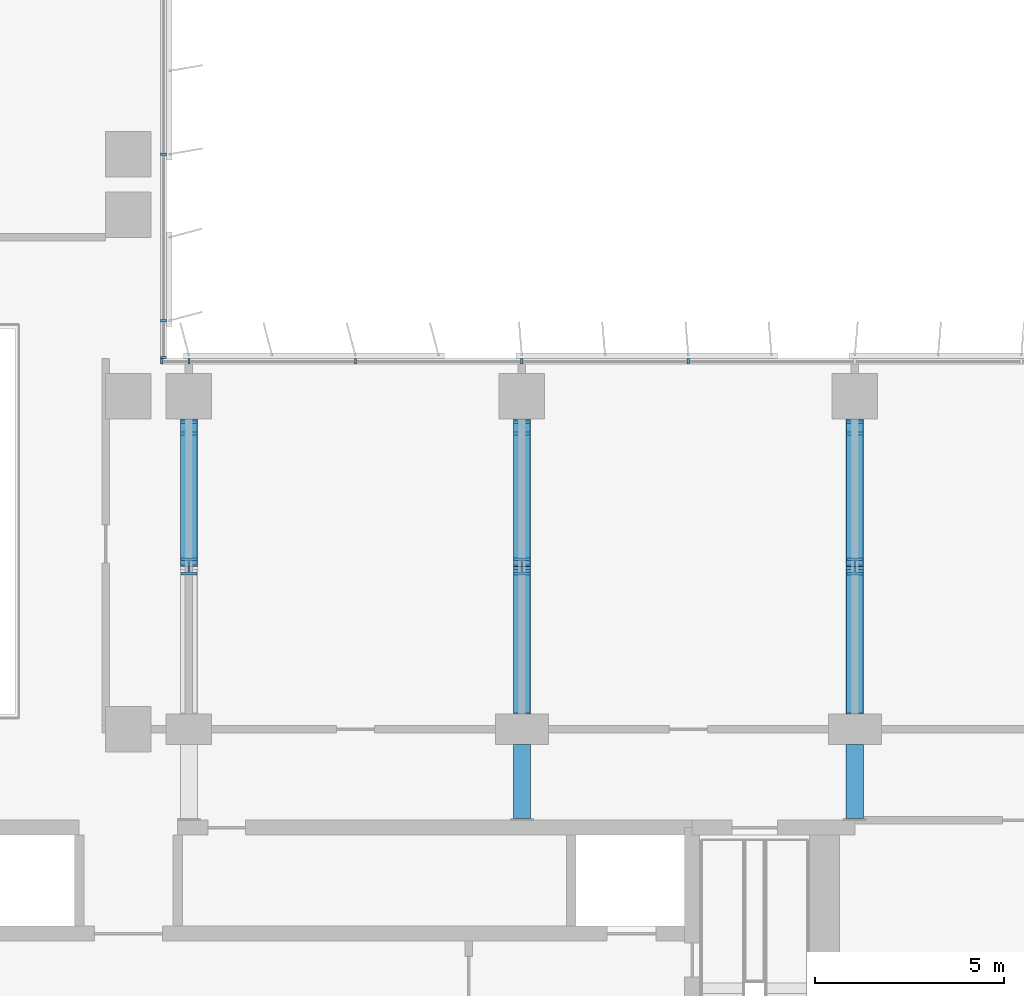
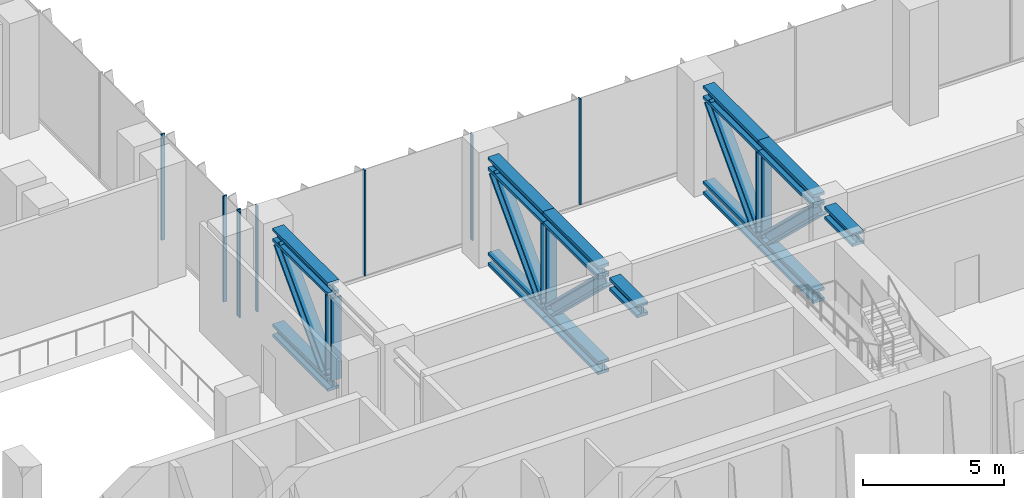
# One storey, part 2 of 21: 16 members, 12 beams, 2 elements without a shape of their own.
"""IFC4 building model written with IfcOpenShell, lengths in metres."""

from ifc_helpers import new_model, si_unit, direction, frame, origin, origin_2d, place, context, subcontext, project, spatial, rectangle, i_section, extrude, source, transform, mapped, material, material_profile, profile_set, type_object, element, aggregate, save


model = new_model("IFC4")

# Units and contexts
model_context = context("Model", 3, precision=1e-05, world=origin(), true_north=direction((0.0, 1.0)))
body_context = subcontext(model_context, "Body", "Model", "MODEL_VIEW")
ifc_project = project(units=[si_unit("LENGTHUNIT", "METRE"), si_unit("AREAUNIT", "SQUARE_METRE"), si_unit("VOLUMEUNIT", "CUBIC_METRE"), si_unit("PLANEANGLEUNIT", "RADIAN"), si_unit("MASSUNIT", "GRAM", prefix="KILO")], contexts=[model_context])

# Site, building, storey
site_placement = place(None, origin())
site = spatial("IfcSite", under=ifc_project, at=site_placement, CompositionType="ELEMENT")
building_placement = place(site_placement, origin())
building = spatial("IfcBuilding", under=site, at=building_placement, Name="Kemantara Hotel Tower", CompositionType="ELEMENT")
storey_placement = place(building_placement, frame((0.0, 0.0, 133.300048828125)))
storey = spatial("IfcBuildingStorey", under=building, at=storey_placement, Name="L32", CompositionType="ELEMENT", Elevation=133.300048828125)

# Beams
ifc_material_1 = material(Name="Steel ASTM A992 Grade 50", Category="steel")
ifc_material_profile_1 = material_profile(ifc_material_1, i_section(OverallWidth=0.455078125, OverallDepth=0.569091796875, WebThickness=0.077880859375, FlangeThickness=0.125, at=origin_2d()), Name="W360X1086")
ifc_profile_set_1 = profile_set([ifc_material_profile_1], Name="Steel ASTM A992 Grade 50")
beam_type = type_object("IfcBeamType", Name="OUTRIGGER TRUSS L32 CHORD W360X1086", PredefinedType="BEAM", material=ifc_profile_set_1)
for number, where, z_axis, x_axis, name in (
    (1, (27.39990234375, 16.5, 0.284423828125), (0.0, 1.0, 0.0), (-1.0, 0.0, 0.0), "OUTRIGGER L32 T1 bottom chord 3"),
    (2, (27.39990234375, 16.5, 4.41552734375), (0.0, 1.0, 0.0), (-1.0, 0.0, 0.0), "OUTRIGGER L32 T1 top chord 3"),
    (3, (36.199951171875, 12.60009765625, 0.284423828125), (0.0, 1.0, 0.0), (-1.0, 0.0, 0.0), "OUTRIGGER L32 T2 bottom chord 2"),
    (4, (36.199951171875, 16.5, 0.284423828125), (0.0, 1.0, 0.0), (-1.0, 0.0, 0.0), "OUTRIGGER L32 T2 bottom chord 3"),
):
    element("IfcBeam", number, at=place(storey_placement, frame(where, z_axis=z_axis, x_axis=x_axis)), inside=storey, type_object=beam_type, Name=name, PredefinedType="BEAM", context=body_context, shape_type="SweptSolid", body=[
        extrude(i_section(OverallWidth=0.455078125, OverallDepth=0.569091796875, WebThickness=0.077880859375, FlangeThickness=0.125, at=origin_2d()), origin(), (0.0, 0.0, 1.0), 3.89990234375),
    ])
beam_1_placement = place(storey_placement, frame((36.199951171875, 9.840087890625, 4.41552734375), z_axis=(0.0, 1.0, 0.0), x_axis=(-1.0, 0.0, 0.0)))
element("IfcBeam", 5, at=beam_1_placement, inside=storey, type_object=beam_type, Name="OUTRIGGER L32 T2 top chord 1", PredefinedType="BEAM", context=body_context, shape_type="SweptSolid", body=[
    extrude(i_section(OverallWidth=0.455078125, OverallDepth=0.569091796875, WebThickness=0.077880859375, FlangeThickness=0.125, at=origin_2d()), origin(), (0.0, 0.0, 1.0), 1.9599609375),
])
for number, where, z_axis, x_axis, name in (
    (6, (36.199951171875, 12.60009765625, 4.41552734375), (0.0, 1.0, 0.0), (-1.0, 0.0, 0.0), "OUTRIGGER L32 T2 top chord 2"),
    (7, (36.199951171875, 16.5, 4.41552734375), (0.0, 1.0, 0.0), (-1.0, 0.0, 0.0), "OUTRIGGER L32 T2 top chord 3"),
    (8, (45.0, 12.60009765625, 0.284423828125), (0.0, 1.0, 0.0), (-1.0, 0.0, 0.0), "OUTRIGGER L32 T3 bottom chord 2"),
    (9, (45.0, 16.5, 0.284423828125), (0.0, 1.0, 0.0), (-1.0, 0.0, 0.0), "OUTRIGGER L32 T3 bottom chord 3"),
):
    element("IfcBeam", number, at=place(storey_placement, frame(where, z_axis=z_axis, x_axis=x_axis)), inside=storey, type_object=beam_type, Name=name, PredefinedType="BEAM", context=body_context, shape_type="SweptSolid", body=[
        extrude(i_section(OverallWidth=0.455078125, OverallDepth=0.569091796875, WebThickness=0.077880859375, FlangeThickness=0.125, at=origin_2d()), origin(), (0.0, 0.0, 1.0), 3.89990234375),
    ])
beam_2_placement = place(storey_placement, frame((45.0, 9.840087890625, 4.41552734375), z_axis=(0.0, 1.0, 0.0), x_axis=(-1.0, 0.0, 0.0)))
element("IfcBeam", 10, at=beam_2_placement, inside=storey, type_object=beam_type, Name="OUTRIGGER L32 T3 top chord 1", PredefinedType="BEAM", context=body_context, shape_type="SweptSolid", body=[
    extrude(i_section(OverallWidth=0.455078125, OverallDepth=0.569091796875, WebThickness=0.077880859375, FlangeThickness=0.125, at=origin_2d()), origin(), (0.0, 0.0, 1.0), 1.9599609375),
])
for number, where, z_axis, x_axis, name in (
    (11, (45.0, 12.60009765625, 4.41552734375), (0.0, 1.0, 0.0), (-1.0, 0.0, 0.0), "OUTRIGGER L32 T3 top chord 2"),
    (12, (45.0, 16.5, 4.41552734375), (0.0, 1.0, 0.0), (-1.0, 0.0, 0.0), "OUTRIGGER L32 T3 top chord 3"),
):
    element("IfcBeam", number, at=place(storey_placement, frame(where, z_axis=z_axis, x_axis=x_axis)), inside=storey, type_object=beam_type, Name=name, PredefinedType="BEAM", context=body_context, shape_type="SweptSolid", body=[
        extrude(i_section(OverallWidth=0.455078125, OverallDepth=0.569091796875, WebThickness=0.077880859375, FlangeThickness=0.125, at=origin_2d()), origin(), (0.0, 0.0, 1.0), 3.89990234375),
    ])

# Members
ifc_material_profile_2 = material_profile(ifc_material_1, i_section(OverallWidth=0.43701171875, OverallDepth=0.512939453125, WebThickness=0.060546875, FlangeThickness=0.096923828125, at=origin_2d()), Name="W360X818")
ifc_profile_set_2 = profile_set([ifc_material_profile_2], Name="Steel ASTM A992 Grade 50")
member_type_1 = type_object("IfcMemberType", Name="OUTRIGGER TRUSS L32 DIAGONAL W360X818", PredefinedType="BRACE", material=ifc_profile_set_2)
member_1_placement = place(storey_placement, frame((27.39990234375, 16.732177734375, 0.530517578125), z_axis=(0.0, 0.686496030022, 0.727133550844), x_axis=(-1.0, 0.0, 0.0)))
element("IfcMember", 13, at=member_1_placement, inside=storey, type_object=member_type_1, Name="OUTRIGGER L32 T1 diagonal 3", PredefinedType="BRACE", context=body_context, shape_type="SweptSolid", body=[
    extrude(i_section(OverallWidth=0.43701171875, OverallDepth=0.512939453125, WebThickness=0.060546875, FlangeThickness=0.096923828125, at=origin_2d()), origin(), (0.0, 0.0, 1.0), 5.00439453125),
])
member_2_placement = place(storey_placement, frame((36.199951171875, 16.243896484375, 0.530517578125), z_axis=(0.0, -0.721141135239, 0.692788180518), x_axis=(1.0, 0.0, 0.0)))
element("IfcMember", 14, at=member_2_placement, inside=storey, type_object=member_type_1, Name="OUTRIGGER L32 T2 diagonal 2", PredefinedType="BRACE", context=body_context, shape_type="SweptSolid", body=[
    extrude(i_section(OverallWidth=0.43701171875, OverallDepth=0.512939453125, WebThickness=0.060546875, FlangeThickness=0.096923828125, at=origin_2d()), origin(), (0.0, 0.0, 1.0), 5.252685546875),
])
member_3_placement = place(storey_placement, frame((36.199951171875, 16.732177734375, 0.530517578125), z_axis=(0.0, 0.686496030022, 0.727133550844), x_axis=(-1.0, 0.0, 0.0)))
element("IfcMember", 15, at=member_3_placement, inside=storey, type_object=member_type_1, Name="OUTRIGGER L32 T2 diagonal 3", PredefinedType="BRACE", context=body_context, shape_type="SweptSolid", body=[
    extrude(i_section(OverallWidth=0.43701171875, OverallDepth=0.512939453125, WebThickness=0.060546875, FlangeThickness=0.096923828125, at=origin_2d()), origin(), (0.0, 0.0, 1.0), 5.00439453125),
])
member_4_placement = place(storey_placement, frame((45.0, 16.243896484375, 0.530517578125), z_axis=(0.0, -0.721141135239, 0.692788180518), x_axis=(1.0, 0.0, 0.0)))
element("IfcMember", 16, at=member_4_placement, inside=storey, type_object=member_type_1, Name="OUTRIGGER L32 T3 diagonal 2", PredefinedType="BRACE", context=body_context, shape_type="SweptSolid", body=[
    extrude(i_section(OverallWidth=0.43701171875, OverallDepth=0.512939453125, WebThickness=0.060546875, FlangeThickness=0.096923828125, at=origin_2d()), origin(), (0.0, 0.0, 1.0), 5.252685546875),
])
member_5_placement = place(storey_placement, frame((45.0, 16.732177734375, 0.530517578125), z_axis=(0.0, 0.686496030022, 0.727133550844), x_axis=(-1.0, 0.0, 0.0)))
element("IfcMember", 17, at=member_5_placement, inside=storey, type_object=member_type_1, Name="OUTRIGGER L32 T3 diagonal 3", PredefinedType="BRACE", context=body_context, shape_type="SweptSolid", body=[
    extrude(i_section(OverallWidth=0.43701171875, OverallDepth=0.512939453125, WebThickness=0.060546875, FlangeThickness=0.096923828125, at=origin_2d()), origin(), (0.0, 0.0, 1.0), 5.00439453125),
])
ifc_material_profile_3 = material_profile(ifc_material_1, i_section(OverallWidth=0.4169921875, OverallDepth=0.445068359375, WebThickness=0.0390625, FlangeThickness=0.062744140625, at=origin_2d()), Name="W360X509")
ifc_profile_set_3 = profile_set([ifc_material_profile_3], Name="Steel ASTM A992 Grade 50")
member_type_2 = type_object("IfcMemberType", Name="OUTRIGGER TRUSS L32 POST W360X509", PredefinedType="POST", material=ifc_profile_set_3)
for number, where, z_axis, x_axis, name in (
    (18, (27.39990234375, 16.5, 0.56884765625), (0.0, 0.0, 1.0), (1.0, 0.0, 0.0), "OUTRIGGER L32 T1 post 3"),
    (19, (36.199951171875, 16.5, 0.56884765625), (0.0, 0.0, 1.0), (1.0, 0.0, 0.0), "OUTRIGGER L32 T2 post 3"),
    (20, (45.0, 16.5, 0.56884765625), (0.0, 0.0, 1.0), (1.0, 0.0, 0.0), "OUTRIGGER L32 T3 post 3"),
):
    element("IfcMember", number, at=place(storey_placement, frame(where, z_axis=z_axis, x_axis=x_axis)), inside=storey, type_object=member_type_2, Name=name, PredefinedType="POST", context=body_context, shape_type="SweptSolid", body=[
        extrude(i_section(OverallWidth=0.4169921875, OverallDepth=0.445068359375, WebThickness=0.0390625, FlangeThickness=0.062744140625, at=origin_2d()), origin(), (0.0, 0.0, 1.0), 3.56201171875),
    ])

# Curtain wall, members
ifc_material_2 = material(Name="Low-E tinted double insulated glass 36 mm", Category="glass")
curtain_wall_type = type_object("IfcCurtainWallType", Name="TOWER CURTAIN WALL, FRONT FACES", PredefinedType="USERDEFINED", material=ifc_material_2)
curtain_wall_1_placement = place(storey_placement, origin())
curtain_wall_1 = element("IfcCurtainWall", 21, at=curtain_wall_1_placement, inside=storey, type_object=curtain_wall_type, Name="CW4 L32 T2-R13-1", ObjectType="TOWER CURTAIN WALL, FRONT FACES", PredefinedType="USERDEFINED")
ifc_material_3 = material(Name="Aluminium 6063-T6 bronze anodised", Category="aluminium")
ifc_material_profile_4 = material_profile(ifc_material_3, rectangle(XDim=0.14990234375, YDim=0.06005859375, at=origin_2d()), Name="TOWER CURTAIN WALL, FRONT FACES MULLION")
ifc_profile_set_4 = profile_set([ifc_material_profile_4], Name="Aluminium 6063-T6 bronze anodised")
member_type_3 = type_object("IfcMemberType", Name="TOWER CURTAIN WALL, FRONT FACES MULLION", PredefinedType="MULLION", material=ifc_profile_set_4)
shared_shape = source(origin(), body_context, "Body", "SweptSolid", [
    extrude(rectangle(XDim=0.14990234375, YDim=0.06005859375, at=origin_2d()), origin(), (0.0, 0.0, 1.0), 4.580078125),
])
member_6_placement = place(storey_placement, frame((40.60009765625, 21.925048828125, 0.119873046875), z_axis=(0.0, 0.0, 1.0), x_axis=(0.0, -1.0, 0.0)))
member_6 = element("IfcMember", 22, at=member_6_placement, type_object=member_type_3, Name="CW4 mullion T2-R13-1.6", PredefinedType="MULLION", context=body_context, shape_type="MappedRepresentation", body=[
    mapped(shared_shape, transform((0.0, 0.0, 0.0))),
])
member_7_placement = place(storey_placement, frame((36.199951171875, 21.925048828125, 0.119873046875), z_axis=(0.0, 0.0, 1.0), x_axis=(0.0, -1.0, 0.0)))
member_7 = element("IfcMember", 23, at=member_7_placement, type_object=member_type_3, Name="CW4 mullion T2-R13-1.7", PredefinedType="MULLION", context=body_context, shape_type="MappedRepresentation", body=[
    mapped(shared_shape, transform((0.0, 0.0, 0.0))),
])
member_8_placement = place(storey_placement, frame((31.800048828125, 21.925048828125, 0.119873046875), z_axis=(0.0, 0.0, 1.0), x_axis=(0.0, -1.0, 0.0)))
member_8 = element("IfcMember", 24, at=member_8_placement, type_object=member_type_3, Name="CW4 mullion T2-R13-1.8", PredefinedType="MULLION", context=body_context, shape_type="MappedRepresentation", body=[
    mapped(shared_shape, transform((0.0, 0.0, 0.0))),
])
member_9_placement = place(storey_placement, frame((27.39990234375, 21.925048828125, 0.119873046875), z_axis=(0.0, 0.0, 1.0), x_axis=(0.0, -1.0, 0.0)))
member_9 = element("IfcMember", 25, at=member_9_placement, type_object=member_type_3, Name="CW4 mullion T2-R13-1.9", PredefinedType="MULLION", context=body_context, shape_type="MappedRepresentation", body=[
    mapped(shared_shape, transform((0.0, 0.0, 0.0))),
])
member_10_placement = place(storey_placement, frame((26.679931640625, 21.925048828125, 0.119873046875), z_axis=(0.0, 0.0, 1.0), x_axis=(0.0, -1.0, 0.0)))
member_10 = element("IfcMember", 26, at=member_10_placement, type_object=member_type_3, Name="CW4 mullion T2-R13-1.10", PredefinedType="MULLION", context=body_context, shape_type="MappedRepresentation", body=[
    mapped(shared_shape, transform((0.0, 0.0, 0.0))),
])
aggregate(curtain_wall_1, [member_6, member_7, member_8, member_9, member_10])

curtain_wall_2_placement = place(storey_placement, origin())
curtain_wall_2 = element("IfcCurtainWall", 27, at=curtain_wall_2_placement, inside=storey, type_object=curtain_wall_type, Name="CW4 L32 T2-R14-1", ObjectType="TOWER CURTAIN WALL, FRONT FACES", PredefinedType="USERDEFINED")
member_11_placement = place(storey_placement, frame((26.72509765625, 22.030029296875, 0.119873046875), z_axis=(0.0, 0.0, 1.0), x_axis=(-1.0, 0.0, 0.0)))
member_11 = element("IfcMember", 28, at=member_11_placement, type_object=member_type_3, Name="CW4 mullion T2-R14-1.1", PredefinedType="MULLION", context=body_context, shape_type="MappedRepresentation", body=[
    mapped(shared_shape, transform((0.0, 0.0, 0.0))),
])
member_12_placement = place(storey_placement, frame((26.72509765625, 23.0, 0.119873046875), z_axis=(0.0, 0.0, 1.0), x_axis=(-1.0, 0.0, 0.0)))
member_12 = element("IfcMember", 29, at=member_12_placement, type_object=member_type_3, Name="CW4 mullion T2-R14-1.2", PredefinedType="MULLION", context=body_context, shape_type="MappedRepresentation", body=[
    mapped(shared_shape, transform((0.0, 0.0, 0.0))),
])
member_13_placement = place(storey_placement, frame((26.72509765625, 27.39990234375, 0.119873046875), z_axis=(0.0, 0.0, 1.0), x_axis=(-1.0, 0.0, 0.0)))
member_13 = element("IfcMember", 30, at=member_13_placement, type_object=member_type_3, Name="CW4 mullion T2-R14-1.3", PredefinedType="MULLION", context=body_context, shape_type="MappedRepresentation", body=[
    mapped(shared_shape, transform((0.0, 0.0, 0.0))),
])
aggregate(curtain_wall_2, [member_11, member_12, member_13])

save(model, "model.ifc")
